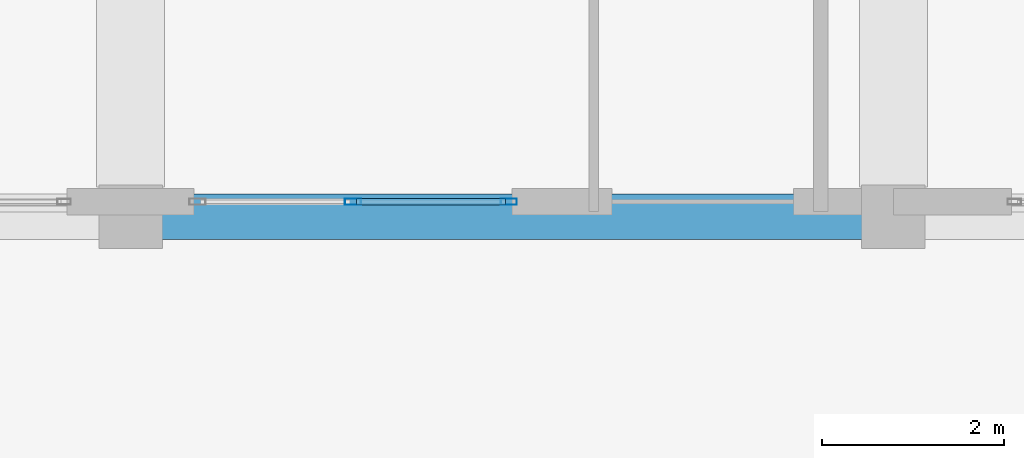
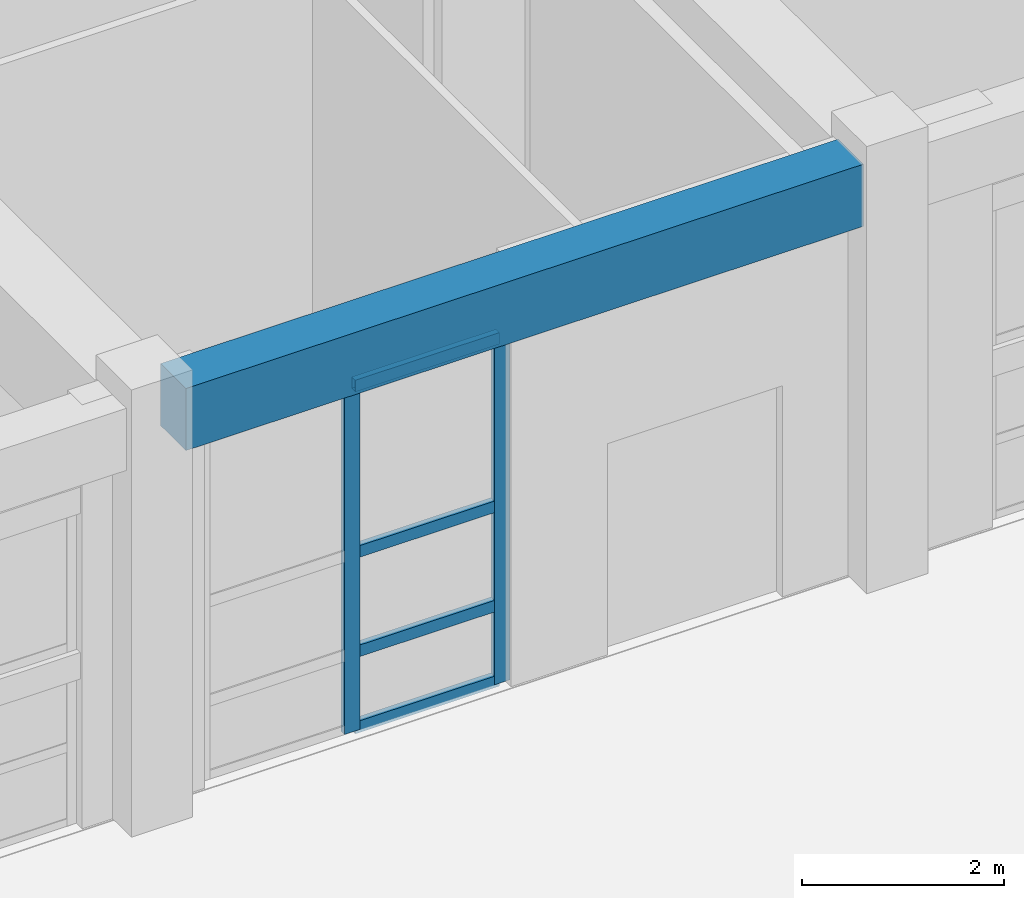
# One storey, part 49 of 148: 6 members, 1 beam, 1 element without a shape of its own.
"""IFC4 building model written with IfcOpenShell, lengths in metres."""

from ifc_helpers import new_model, si_unit, direction, frame, origin, origin_2d, place, context, subcontext, project, spatial, rectangle, hollow_rectangle, extrude, material, layer, layer_set, material_profile, profile_set, type_object, element, aggregate, save


model = new_model("IFC4")

# Units and contexts
model_context = context("Model", 3, precision=1e-05, world=origin(), true_north=direction((0.0, 1.0)))
body_context = subcontext(model_context, "Body", "Model", "MODEL_VIEW")
ifc_project = project(units=[si_unit("LENGTHUNIT", "METRE"), si_unit("AREAUNIT", "SQUARE_METRE"), si_unit("VOLUMEUNIT", "CUBIC_METRE"), si_unit("PLANEANGLEUNIT", "RADIAN"), si_unit("MASSUNIT", "GRAM", prefix="KILO")], contexts=[model_context])

# Site, building, storey
site_placement = place(None, origin())
site = spatial("IfcSite", under=ifc_project, at=site_placement, CompositionType="ELEMENT")
building_placement = place(site_placement, origin())
building = spatial("IfcBuilding", under=site, at=building_placement, Name="Quendrovan Civic Courthouse", CompositionType="ELEMENT")
storey_placement = place(building_placement, origin())
storey = spatial("IfcBuildingStorey", under=building, at=storey_placement, Name="L01", CompositionType="ELEMENT", Elevation=0.0)

# Beam
ifc_material_1 = material(Name="Concrete C40/50", Category="concrete")
ifc_material_profile_1 = material_profile(ifc_material_1, rectangle(XDim=0.5, YDim=0.75, at=origin_2d()), Name="RC-BM-500x750")
ifc_profile_set_1 = profile_set([ifc_material_profile_1], Name="Concrete C40/50")
beam_type = type_object("IfcBeamType", Name="BM-RC750", PredefinedType="SPANDREL", material=ifc_profile_set_1)
beam_placement = place(storey_placement, frame((59.1298828125, 64.800048828125, 4.7451171875), z_axis=(1.0, 0.0, 0.0), x_axis=(0.0, 1.0, 0.0)))
element("IfcBeam", 1, at=beam_placement, inside=storey, type_object=beam_type, Name="L01 Girder X0292", PredefinedType="SPANDREL", context=body_context, shape_type="SweptSolid", body=[
    extrude(rectangle(XDim=0.5, YDim=0.75, at=origin_2d()), origin(), (0.0, 0.0, 1.0), 7.740234375),
])

# Curtain wall, members
ifc_material_2 = material(Name="Bronze anodised aluminium and low-E glass", Category="aluminium")
ifc_layer = layer(ifc_material_2, 0.179931640625, Name="Bronze anodised aluminium and low-E glass")
ifc_layer_set = layer_set([ifc_layer], Name="Bronze anodised aluminium and low-E glass")
curtain_wall_type = type_object("IfcCurtainWallType", Name="CW-U35x42", PredefinedType="USERDEFINED", material=ifc_layer_set)
curtain_wall_placement = place(storey_placement, origin())
curtain_wall = element("IfcCurtainWall", 2, at=curtain_wall_placement, inside=storey, type_object=curtain_wall_type, Name="L01 Unitised Hurricane Curtain Wall CW-062", ObjectType="UNITISED CURTAIN WALL", PredefinedType="USERDEFINED")
ifc_material_3 = material(Name="Bronze anodised aluminium", Category="aluminium")
ifc_material_profile_2 = material_profile(ifc_material_3, hollow_rectangle(XDim=0.070068359375, YDim=0.179931640625, WallThickness=0.00390625, at=origin_2d()), Name="CW-MULL-70x180")
ifc_profile_set_2 = profile_set([ifc_material_profile_2], Name="Bronze anodised aluminium")
member_type_1 = type_object("IfcMemberType", Name="CW-MULL-A", PredefinedType="MULLION", material=ifc_profile_set_2)
member_1_placement = place(storey_placement, frame((62.965087890625, 64.965087890625, 0.0), z_axis=(0.0, 0.0, 1.0), x_axis=(0.0, -1.0, 0.0)))
member_1 = element("IfcMember", 3, at=member_1_placement, type_object=member_type_1, Name="CW-062 mullion 1", PredefinedType="MULLION", context=body_context, shape_type="SweptSolid", body=[
    extrude(hollow_rectangle(XDim=0.070068359375, YDim=0.179931640625, WallThickness=0.00390625, at=origin_2d()), origin(), (0.0, 0.0, 1.0), 4.199951171875),
])
member_2_placement = place(storey_placement, frame((61.25, 64.965087890625, 0.0), z_axis=(0.0, 0.0, 1.0), x_axis=(0.0, -1.0, 0.0)))
member_2 = element("IfcMember", 4, at=member_2_placement, type_object=member_type_1, Name="CW-062 mullion 2", PredefinedType="MULLION", context=body_context, shape_type="SweptSolid", body=[
    extrude(hollow_rectangle(XDim=0.070068359375, YDim=0.179931640625, WallThickness=0.00390625, at=origin_2d()), origin(), (0.0, 0.0, 1.0), 4.199951171875),
])
ifc_material_profile_3 = material_profile(ifc_material_3, hollow_rectangle(XDim=0.070068359375, YDim=0.139892578125, WallThickness=0.00390625, at=origin_2d()), Name="CW-TRAN-70x140")
ifc_profile_set_3 = profile_set([ifc_material_profile_3], Name="Bronze anodised aluminium")
member_type_2 = type_object("IfcMemberType", Name="CW-TRAN-A", PredefinedType="USERDEFINED", material=ifc_profile_set_3)
member_3_placement = place(storey_placement, frame((62.929931640625, 64.965087890625, 0.034912109375), z_axis=(-1.0, 0.0, 0.0), x_axis=(0.0, -1.0, 0.0)))
member_3 = element("IfcMember", 5, at=member_3_placement, type_object=member_type_2, Name="CW-062 transom 1.1", ObjectType="TRANSOM", PredefinedType="USERDEFINED", context=body_context, shape_type="SweptSolid", body=[
    extrude(hollow_rectangle(XDim=0.070068359375, YDim=0.139892578125, WallThickness=0.00390625, at=origin_2d()), origin(), (0.0, 0.0, 1.0), 1.64501953125),
])
member_4_placement = place(storey_placement, frame((62.929931640625, 64.965087890625, 0.949951171875), z_axis=(-1.0, 0.0, 0.0), x_axis=(0.0, -1.0, 0.0)))
member_4 = element("IfcMember", 6, at=member_4_placement, type_object=member_type_2, Name="CW-062 transom 1.2", ObjectType="TRANSOM", PredefinedType="USERDEFINED", context=body_context, shape_type="SweptSolid", body=[
    extrude(hollow_rectangle(XDim=0.070068359375, YDim=0.139892578125, WallThickness=0.00390625, at=origin_2d()), origin(), (0.0, 0.0, 1.0), 1.64501953125),
])
member_5_placement = place(storey_placement, frame((62.929931640625, 64.965087890625, 2.14990234375), z_axis=(-1.0, 0.0, 0.0), x_axis=(0.0, -1.0, 0.0)))
member_5 = element("IfcMember", 7, at=member_5_placement, type_object=member_type_2, Name="CW-062 transom 1.3", ObjectType="TRANSOM", PredefinedType="USERDEFINED", context=body_context, shape_type="SweptSolid", body=[
    extrude(hollow_rectangle(XDim=0.070068359375, YDim=0.139892578125, WallThickness=0.00390625, at=origin_2d()), origin(), (0.0, 0.0, 1.0), 1.64501953125),
])
member_6_placement = place(storey_placement, frame((62.929931640625, 64.965087890625, 4.1650390625), z_axis=(-1.0, 0.0, 0.0), x_axis=(0.0, -1.0, 0.0)))
member_6 = element("IfcMember", 8, at=member_6_placement, type_object=member_type_2, Name="CW-062 transom 1.4", ObjectType="TRANSOM", PredefinedType="USERDEFINED", context=body_context, shape_type="SweptSolid", body=[
    extrude(hollow_rectangle(XDim=0.070068359375, YDim=0.139892578125, WallThickness=0.00390625, at=origin_2d()), origin(), (0.0, 0.0, 1.0), 1.64501953125),
])
aggregate(curtain_wall, [member_1, member_2, member_3, member_4, member_5, member_6])

save(model, "model.ifc")
